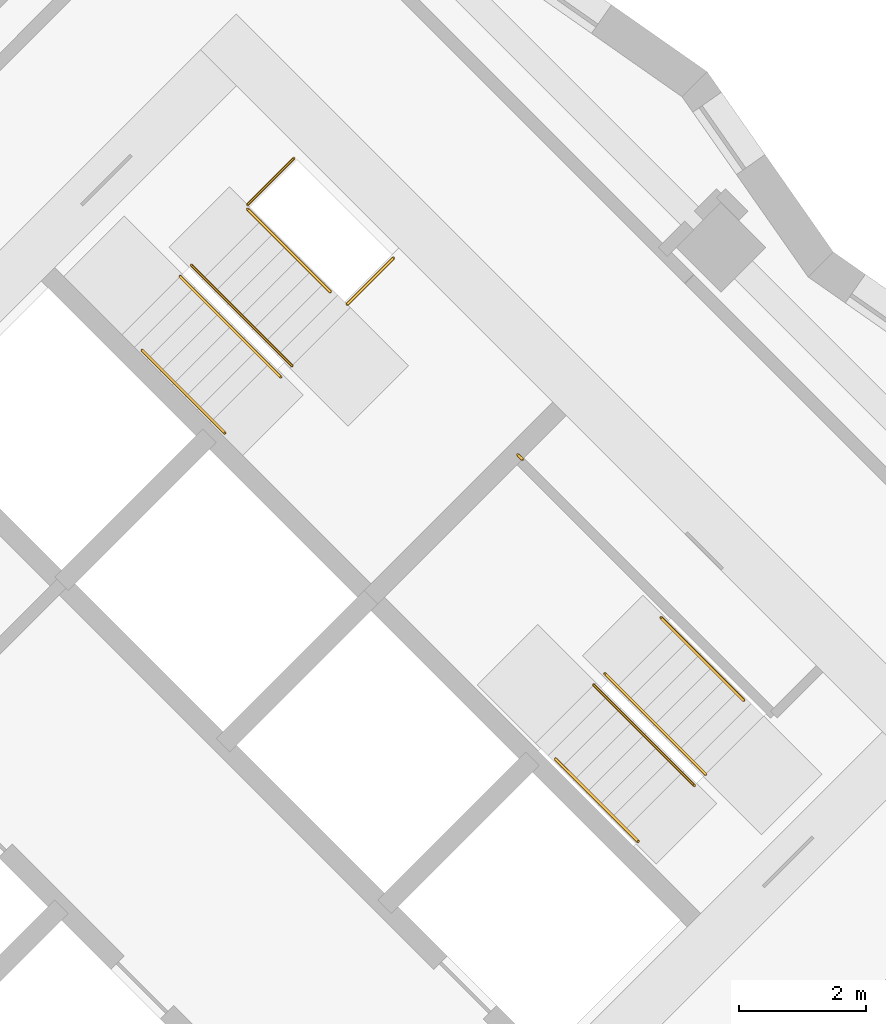
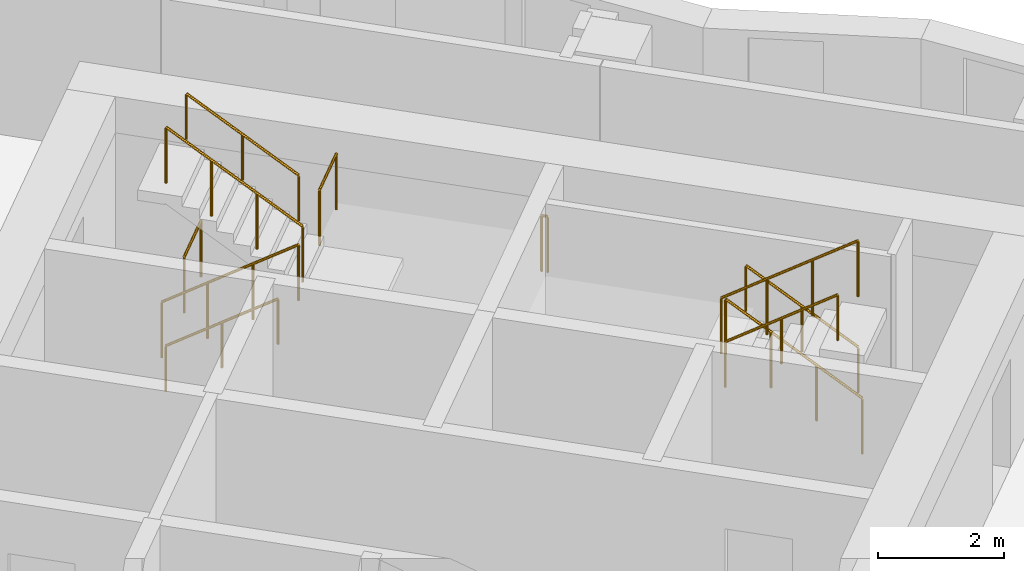
# One storey, part 13 of 13: 11 railings.
"""IFC4 building model written with IfcOpenShell, lengths in metres."""

from ifc_helpers import new_model, si_unit, direction, frame, origin, origin_2d, place, context, subcontext, project, spatial, circle, extrude, material, type_object, element, save


model = new_model("IFC4")

# Units and contexts
model_context = context("Model", 3, precision=1e-05, world=origin(), true_north=direction((0.0, 1.0)))
body_context = subcontext(model_context, "Body", "Model", "MODEL_VIEW")
ifc_project = project(units=[si_unit("LENGTHUNIT", "METRE"), si_unit("AREAUNIT", "SQUARE_METRE"), si_unit("VOLUMEUNIT", "CUBIC_METRE"), si_unit("PLANEANGLEUNIT", "RADIAN"), si_unit("MASSUNIT", "GRAM", prefix="KILO")], contexts=[model_context])

# Site, building, storey
site_placement = place(None, origin())
site = spatial("IfcSite", under=ifc_project, at=site_placement, CompositionType="ELEMENT")
building_placement = place(site_placement, origin())
building = spatial("IfcBuilding", under=site, at=building_placement, Name="Windrow Commons", CompositionType="ELEMENT")
storey_placement = place(building_placement, frame((0.0, 0.0, 115.2)))
storey = spatial("IfcBuildingStorey", under=building, at=storey_placement, Name="L31", CompositionType="ELEMENT", Elevation=115.2)

# Railings
ifc_material_1 = material(Name="Steel S355", Category="steel")
railing_type_1 = type_object("IfcRailingType", Name="Core stair guard 1100", PredefinedType="GUARDRAIL", material=ifc_material_1)
railing_1_placement = place(storey_placement, frame((85.9529, 56.2669, 0.1889)))
element("IfcRailing", 1, at=railing_1_placement, inside=storey, type_object=railing_type_1, Name="L31 ST-B1 stair guard 1", PredefinedType="GUARDRAIL", context=body_context, shape_type="SweptSolid", body=[
    extrude(circle(Radius=0.024, at=origin_2d()), frame((0.0, 0.0, 1.076), z_axis=(0.5861914914, -0.5861914914, 0.5592486664), x_axis=(0.7071067812, 0.7071067812, 0.0)), (0.0, 0.0, 1.0), 2.702),
    extrude(circle(Radius=0.021, at=origin_2d()), origin(), (0.0, 0.0, 1.0), 1.052),
    extrude(circle(Radius=0.021, at=origin_2d()), frame((0.528, -0.528, 0.5037)), (0.0, 0.0, 1.0), 1.052),
    extrude(circle(Radius=0.021, at=origin_2d()), frame((1.0559, -1.0559, 1.0074)), (0.0, 0.0, 1.0), 1.052),
    extrude(circle(Radius=0.021, at=origin_2d()), frame((1.5839, -1.5839, 1.5111)), (0.0, 0.0, 1.0), 1.052),
])
railing_2_placement = place(storey_placement, frame((87.7136, 54.8597, 1.8889)))
element("IfcRailing", 2, at=railing_2_placement, inside=storey, type_object=railing_type_1, Name="L31 ST-B1 stair guard 2", PredefinedType="GUARDRAIL", context=body_context, shape_type="SweptSolid", body=[
    extrude(circle(Radius=0.024, at=origin_2d()), frame((0.0, 0.0, 1.076), z_axis=(-0.5862030657, 0.5862030657, 0.5592244018), x_axis=(-0.7071067812, -0.7071067812, 0.0)), (0.0, 0.0, 1.0), 2.7021),
    extrude(circle(Radius=0.021, at=origin_2d()), origin(), (0.0, 0.0, 1.0), 1.052),
    extrude(circle(Radius=0.021, at=origin_2d()), frame((-0.528, 0.528, 0.5037)), (0.0, 0.0, 1.0), 1.052),
    extrude(circle(Radius=0.021, at=origin_2d()), frame((-1.056, 1.056, 1.0074)), (0.0, 0.0, 1.0), 1.052),
    extrude(circle(Radius=0.021, at=origin_2d()), frame((-1.584, 1.584, 1.5111)), (0.0, 0.0, 1.0), 1.052),
])
railing_3_placement = place(storey_placement, frame((87.0135, 57.3982, 0.0)))
element("IfcRailing", 3, at=railing_3_placement, inside=storey, type_object=railing_type_1, Name="L31 ST-B1 stair guard 3", PredefinedType="GUARDRAIL", context=body_context, shape_type="SweptSolid", body=[
    extrude(circle(Radius=0.024, at=origin_2d()), frame((0.0, 0.0, 1.076), z_axis=(0.7070582378, 0.7071553212, 0.0), x_axis=(-0.7071553212, 0.7070582378, 0.0)), (0.0, 0.0, 1.0), 1.03),
    extrude(circle(Radius=0.021, at=origin_2d()), origin(), (0.0, 0.0, 1.0), 1.052),
    extrude(circle(Radius=0.021, at=origin_2d()), frame((0.7283, 0.7284, 0.0)), (0.0, 0.0, 1.0), 1.052),
])
railing_4_placement = place(storey_placement, frame((88.5833, 55.8285, 1.7)))
element("IfcRailing", 4, at=railing_4_placement, inside=storey, type_object=railing_type_1, Name="L31 ST-B1 stair guard 4", PredefinedType="GUARDRAIL", context=body_context, shape_type="SweptSolid", body=[
    extrude(circle(Radius=0.024, at=origin_2d()), frame((0.0, 0.0, 1.076), z_axis=(0.7071067812, 0.7071067812, 0.0), x_axis=(-0.7071067812, 0.7071067812, 0.0)), (0.0, 0.0, 1.0), 1.03),
    extrude(circle(Radius=0.021, at=origin_2d()), origin(), (0.0, 0.0, 1.0), 1.052),
    extrude(circle(Radius=0.021, at=origin_2d()), frame((0.7283, 0.7283, 0.0)), (0.0, 0.0, 1.0), 1.052),
])
railing_5_placement = place(storey_placement, frame((94.2296, 48.4215, 0.1889)))
element("IfcRailing", 5, at=railing_5_placement, inside=storey, type_object=railing_type_1, Name="L31 ST-B2 stair guard 1", PredefinedType="GUARDRAIL", context=body_context, shape_type="SweptSolid", body=[
    extrude(circle(Radius=0.024, at=origin_2d()), frame((0.0, 0.0, 1.076), z_axis=(-0.5862157828, 0.5861787742, 0.5592365337), x_axis=(-0.7070844598, -0.7071291018, 0.0)), (0.0, 0.0, 1.0), 2.7021),
    extrude(circle(Radius=0.021, at=origin_2d()), origin(), (0.0, 0.0, 1.0), 1.052),
    extrude(circle(Radius=0.021, at=origin_2d()), frame((-0.528, 0.528, 0.5037)), (0.0, 0.0, 1.0), 1.052),
    extrude(circle(Radius=0.021, at=origin_2d()), frame((-1.056, 1.0559, 1.0074)), (0.0, 0.0, 1.0), 1.052),
    extrude(circle(Radius=0.021, at=origin_2d()), frame((-1.584, 1.5839, 1.5111)), (0.0, 0.0, 1.0), 1.052),
])
railing_6_placement = place(storey_placement, frame((92.4689, 49.8287, 1.8889)))
element("IfcRailing", 6, at=railing_6_placement, inside=storey, type_object=railing_type_1, Name="L31 ST-B2 stair guard 2", PredefinedType="GUARDRAIL", context=body_context, shape_type="SweptSolid", body=[
    extrude(circle(Radius=0.024, at=origin_2d()), frame((0.0, 0.0, 1.076), z_axis=(0.5861787742, -0.5862157828, 0.5592365337), x_axis=(0.7071291018, 0.7070844598, 0.0)), (0.0, 0.0, 1.0), 2.7021),
    extrude(circle(Radius=0.021, at=origin_2d()), origin(), (0.0, 0.0, 1.0), 1.052),
    extrude(circle(Radius=0.021, at=origin_2d()), frame((0.528, -0.528, 0.5037)), (0.0, 0.0, 1.0), 1.052),
    extrude(circle(Radius=0.021, at=origin_2d()), frame((1.0559, -1.056, 1.0074)), (0.0, 0.0, 1.0), 1.052),
    extrude(circle(Radius=0.021, at=origin_2d()), frame((1.5839, -1.584, 1.5111)), (0.0, 0.0, 1.0), 1.052),
])
railing_7_placement = place(storey_placement, frame((91.3446, 53.3854, 1.7)))
element("IfcRailing", 7, at=railing_7_placement, inside=storey, type_object=railing_type_1, Name="L31 ST-B2 stair guard 3", PredefinedType="GUARDRAIL", context=body_context, shape_type="SweptSolid", body=[
    extrude(circle(Radius=0.024, at=origin_2d()), frame((0.0, 0.0, 1.076), z_axis=(-0.7076063266, 0.7066068826, 0.0), x_axis=(-0.7066068826, -0.7076063266, 0.0)), (0.0, 0.0, 1.0), 0.1001),
    extrude(circle(Radius=0.021, at=origin_2d()), origin(), (0.0, 0.0, 1.0), 1.052),
    extrude(circle(Radius=0.021, at=origin_2d()), frame((-0.0708, 0.0707, 0.0)), (0.0, 0.0, 1.0), 1.052),
])
ifc_material_2 = material(Name="Steel S355", Category="steel")
railing_type_2 = type_object("IfcRailingType", Name="Core stair handrail 900", PredefinedType="HANDRAIL", material=ifc_material_2)
railing_8_placement = place(storey_placement, frame((85.3518, 55.1001, 0.4587)))
element("IfcRailing", 8, at=railing_8_placement, inside=storey, type_object=railing_type_2, Name="L31 ST-B1 stair handrail 1", PredefinedType="HANDRAIL", context=body_context, shape_type="SweptSolid", body=[
    extrude(circle(Radius=0.024, at=origin_2d()), frame((0.0, 0.0, 0.876), z_axis=(0.586206706, -0.5861616513, 0.5592639952), x_axis=(0.7070796062, 0.7071339551, 0.0)), (0.0, 0.0, 1.0), 2.2195),
    extrude(circle(Radius=0.021, at=origin_2d()), origin(), (0.0, 0.0, 1.0), 0.852),
    extrude(circle(Radius=0.021, at=origin_2d()), frame((0.6506, -0.6505, 0.6207)), (0.0, 0.0, 1.0), 0.852),
    extrude(circle(Radius=0.021, at=origin_2d()), frame((1.3011, -1.301, 1.2413)), (0.0, 0.0, 1.0), 0.852),
])
railing_9_placement = place(storey_placement, frame((88.3146, 56.0265, 2.1587)))
element("IfcRailing", 9, at=railing_9_placement, inside=storey, type_object=railing_type_2, Name="L31 ST-B1 stair handrail 2", PredefinedType="HANDRAIL", context=body_context, shape_type="SweptSolid", body=[
    extrude(circle(Radius=0.024, at=origin_2d()), frame((0.0, 0.0, 0.876), z_axis=(-0.586206706, 0.5861616513, 0.5592639952), x_axis=(-0.7070796062, -0.7071339551, 0.0)), (0.0, 0.0, 1.0), 2.2195),
    extrude(circle(Radius=0.021, at=origin_2d()), origin(), (0.0, 0.0, 1.0), 0.852),
    extrude(circle(Radius=0.021, at=origin_2d()), frame((-0.6506, 0.6505, 0.6206)), (0.0, 0.0, 1.0), 0.852),
    extrude(circle(Radius=0.021, at=origin_2d()), frame((-1.3011, 1.301, 1.2413)), (0.0, 0.0, 1.0), 0.852),
])
railing_10_placement = place(storey_placement, frame((94.8306, 49.5883, 0.4587)))
element("IfcRailing", 10, at=railing_10_placement, inside=storey, type_object=railing_type_2, Name="L31 ST-B2 stair handrail 1", PredefinedType="HANDRAIL", context=body_context, shape_type="SweptSolid", body=[
    extrude(circle(Radius=0.024, at=origin_2d()), frame((0.0, 0.0, 0.876), z_axis=(-0.586206706, 0.5861616513, 0.5592639952), x_axis=(-0.7070796062, -0.7071339551, 0.0)), (0.0, 0.0, 1.0), 2.2195),
    extrude(circle(Radius=0.021, at=origin_2d()), origin(), (0.0, 0.0, 1.0), 0.852),
    extrude(circle(Radius=0.021, at=origin_2d()), frame((-0.6506, 0.6505, 0.6207)), (0.0, 0.0, 1.0), 0.852),
    extrude(circle(Radius=0.021, at=origin_2d()), frame((-1.3011, 1.301, 1.2413)), (0.0, 0.0, 1.0), 0.852),
])
railing_11_placement = place(storey_placement, frame((91.8678, 48.6619, 2.1587)))
element("IfcRailing", 11, at=railing_11_placement, inside=storey, type_object=railing_type_2, Name="L31 ST-B2 stair handrail 2", PredefinedType="HANDRAIL", context=body_context, shape_type="SweptSolid", body=[
    extrude(circle(Radius=0.024, at=origin_2d()), frame((0.0, 0.0, 0.876), z_axis=(0.586206706, -0.5861616513, 0.5592639952), x_axis=(0.7070796062, 0.7071339551, 0.0)), (0.0, 0.0, 1.0), 2.2195),
    extrude(circle(Radius=0.021, at=origin_2d()), origin(), (0.0, 0.0, 1.0), 0.852),
    extrude(circle(Radius=0.021, at=origin_2d()), frame((0.6505, -0.6505, 0.6206)), (0.0, 0.0, 1.0), 0.852),
    extrude(circle(Radius=0.021, at=origin_2d()), frame((1.3011, -1.301, 1.2413)), (0.0, 0.0, 1.0), 0.852),
])

save(model, "model.ifc")
